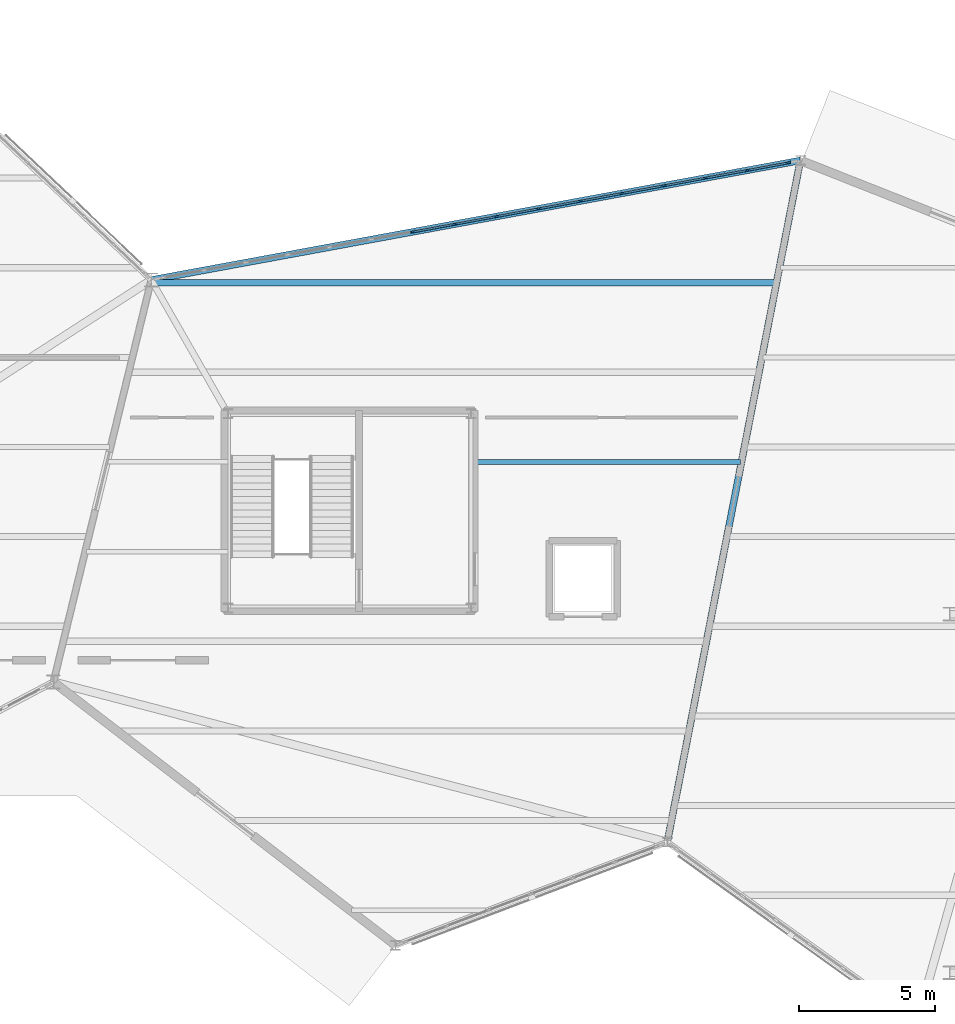
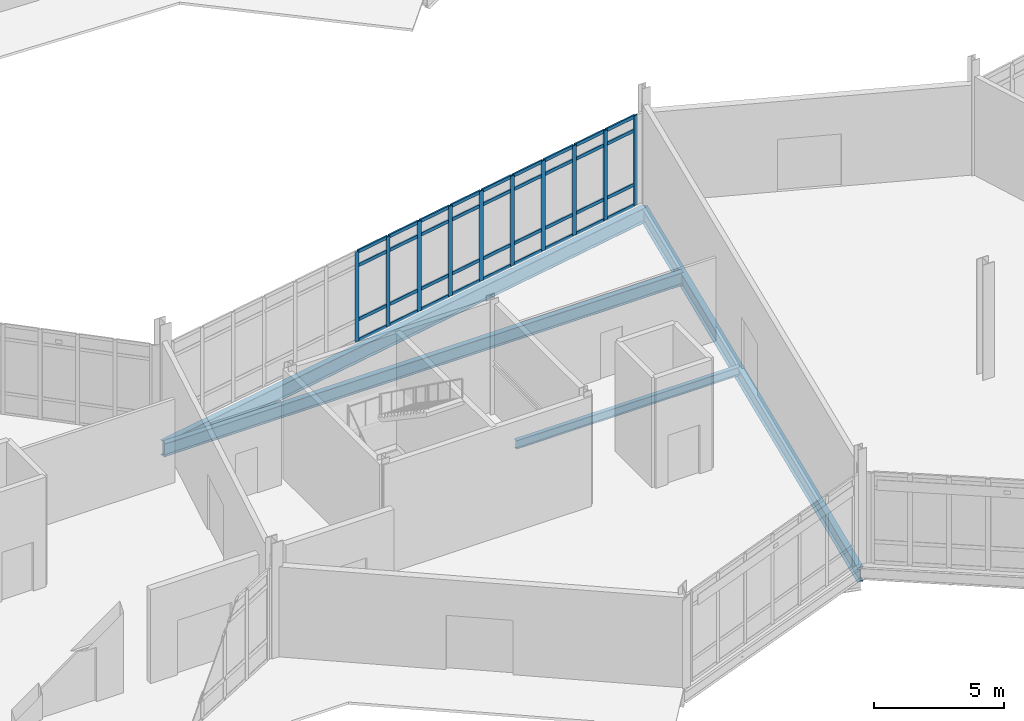
# One storey, part 41 of 113: 46 members, 4 beams, 1 element without a shape of its own.
"""IFC4 building model written with IfcOpenShell, lengths in metres."""

import ifcopenshell
import ifcopenshell.guid

model = None  # the IFC model being written
_history = None  # IfcOwnerHistory: only IFC2X3 demands one
_inside = {}  # id of a spatial element -> (the spatial element, [elements in it])
_under = {}  # id of a project, library or spatial element -> (it, [spatial elements below it])
_declared = {}  # id of a project -> (the project, [libraries it declares])
_typed = {}  # id of a type object -> (the type object, [elements of that type])
_made_of = {}  # id of a material, layer set ... -> (it, [elements and type objects made of it])


def new_model(schema):
    """Start an empty IFC model of exactly this schema.

    Asked for "IFC4X3", IfcOpenShell would pick the latest addendum, in which some entities
    have other attributes; the version numbers below select the first issue.
    IFC2X3 requires an IfcOwnerHistory on every rooted entity: one is made here for all.
    """
    global model, _history
    if schema == "IFC4X3":
        model = ifcopenshell.file(schema_version=(4, 3, 0, 0))
    else:
        model = ifcopenshell.file(schema=schema)
    _inside.clear()
    _under.clear()
    _declared.clear()
    _typed.clear()
    _made_of.clear()
    _history = None
    if model.schema == "IFC2X3":
        org = make("IfcOrganization", Name="unknown")
        user = make(
            "IfcPersonAndOrganization",
            ThePerson=make("IfcPerson", FamilyName="unknown"),
            TheOrganization=org,
        )
        app = make(
            "IfcApplication",
            ApplicationDeveloper=org,
            Version="unknown",
            ApplicationFullName="unknown",
            ApplicationIdentifier="unknown",
        )
        _history = make(
            "IfcOwnerHistory",
            OwningUser=user,
            OwningApplication=app,
            ChangeAction="ADDED",
            CreationDate=0,
        )
    return model


def make(cls, **values):
    """One entity of the class cls with the attributes given. An attribute that is None is left unset."""
    return model.create_entity(
        cls, **{name: value for name, value in values.items() if value is not None}
    )


def rooted(cls, **values):
    """An entity with a GlobalId (a new one), such as an element, a storey or a relation."""
    return make(cls, GlobalId=ifcopenshell.guid.new(), OwnerHistory=_history, **values)


def si_unit(unit_type, name, prefix=None):
    """IfcSIUnit, for example si_unit("LENGTHUNIT", "METRE", prefix="MILLI")."""
    return make("IfcSIUnit", UnitType=unit_type, Prefix=prefix, Name=name)


def assignment(units):
    """IfcUnitAssignment: the units of a project."""
    return None if units is None else make("IfcUnitAssignment", Units=units)


def point(xyz):
    """IfcCartesianPoint."""
    return None if xyz is None else make("IfcCartesianPoint", Coordinates=xyz)


def direction(xyz):
    """IfcDirection."""
    return None if xyz is None else make("IfcDirection", DirectionRatios=xyz)


def frame(location, z_axis=None, x_axis=None):
    """IfcAxis2Placement3D, a coordinate frame: its origin and axes. An axis left out is left unset."""
    return make(
        "IfcAxis2Placement3D",
        Location=point(location),
        Axis=direction(z_axis),
        RefDirection=direction(x_axis),
    )


def frame_2d(location, x_axis=None):
    """IfcAxis2Placement2D, a coordinate frame in the plane: its origin and x axis."""
    return make(
        "IfcAxis2Placement2D", Location=point(location), RefDirection=direction(x_axis)
    )


def origin():
    """The frame at (0, 0, 0) with its axes left unset."""
    return frame((0.0, 0.0, 0.0))


def origin_2d():
    """The frame at (0, 0) in the plane with its x axis left unset."""
    return frame_2d((0.0, 0.0))


def place(relative_to, where):
    """IfcLocalPlacement: puts the frame where relative to a parent placement (None: the world)."""
    return make(
        "IfcLocalPlacement", PlacementRelTo=relative_to, RelativePlacement=where
    )


def context(
    kind, dimensions, precision=None, world=None, true_north=None, identifier=None
):
    """IfcGeometricRepresentationContext, for example the 3D "Model" context."""
    return make(
        "IfcGeometricRepresentationContext",
        ContextIdentifier=identifier,
        ContextType=kind,
        CoordinateSpaceDimension=dimensions,
        Precision=precision,
        WorldCoordinateSystem=world,
        TrueNorth=true_north,
    )


def subcontext(parent, identifier, kind, view, scale=None):
    """IfcGeometricRepresentationSubContext, for example "Body" below "Model"."""
    return make(
        "IfcGeometricRepresentationSubContext",
        ContextIdentifier=identifier,
        ContextType=kind,
        ParentContext=parent,
        TargetScale=scale,
        TargetView=view,
    )


def project(units=None, contexts=None):
    """IfcProject with its units and contexts."""
    return rooted(
        "IfcProject",
        Name="project",
        RepresentationContexts=contexts,
        UnitsInContext=assignment(units),
    )


def spatial(cls, under=None, at=None, **own):
    """A site, building, storey or space (cls), placed at a placement, below another one or the project."""
    s = rooted(cls, ObjectPlacement=at, **own)
    if under is not None:
        _under.setdefault(under.id(), (under, []))[1].append(s)
    return s


def profile(cls, at=None, kind="AREA", **sizes):
    """A parametric profile (cls). Its sizes go by their IFC names, for example OverallWidth=200.0."""
    return make(cls, ProfileType=kind, Position=at, **sizes)


def rectangle(**sizes):
    """IfcRectangleProfileDef."""
    return profile("IfcRectangleProfileDef", **sizes)


def i_section(**sizes):
    """IfcIShapeProfileDef."""
    return profile("IfcIShapeProfileDef", **sizes)


def extrude(swept, where, along, depth):
    """IfcExtrudedAreaSolid: the profile swept, set in the frame where, extruded along a direction by depth."""
    return make(
        "IfcExtrudedAreaSolid",
        SweptArea=swept,
        Position=where,
        ExtrudedDirection=direction(along),
        Depth=depth,
    )


def shape(context_of_items, identifier, shape_type, items):
    """IfcShapeRepresentation: the items that make up one representation, for example the "Body"."""
    return make(
        "IfcShapeRepresentation",
        ContextOfItems=context_of_items,
        RepresentationIdentifier=identifier,
        RepresentationType=shape_type,
        Items=items,
    )


def material(Name=None, Category=None):
    """IfcMaterial."""
    return make("IfcMaterial", Name=Name, Category=Category)


def material_profile(
    of_material, cross_section, Name=None, Category=None, Priority=None
):
    """IfcMaterialProfile: a cross section and its material."""
    return make(
        "IfcMaterialProfile",
        Name=Name,
        Material=of_material,
        Profile=cross_section,
        Priority=Priority,
        Category=Category,
    )


def profile_set(profiles, Name=None, composite=None):
    """IfcMaterialProfileSet."""
    return make(
        "IfcMaterialProfileSet",
        Name=Name,
        MaterialProfiles=profiles,
        CompositeProfile=composite,
    )


def made_of(thing, what):
    """Note that an element or type object is made of a material, layer set ...; save() writes the relation."""
    if what is not None:
        _made_of.setdefault(what.id(), (what, []))[1].append(thing)
    return thing


def type_object(cls, material=None, **own):
    """A type object (cls), such as IfcWallType, which elements share."""
    return made_of(rooted(cls, **own), material)


def element(
    cls,
    number,
    at=None,
    inside=None,
    cuts=None,
    type_object=None,
    material=None,
    context=None,
    identifier="Body",
    shape_type=None,
    held_by="IfcProductDefinitionShape",
    body=None,
    shapes=None,
    **own,
):
    """One element of the class cls, such as IfcWall. Its Tag is "e" and its number.

    at: its placement. inside: the storey or other place that contains it. cuts: it is an
    opening in that element (IfcRelVoidsElement). A single representation is given by context,
    identifier, shape_type and body (its items); several are given by shapes. held_by: the class
    of the entity that holds the representations. save() writes the other relations.
    """
    e = rooted(cls, Tag="e%d" % number, ObjectPlacement=at, **own)
    if body is not None:
        shapes = [shape(context, identifier, shape_type, body)]
    if shapes is not None:
        e.Representation = make(held_by, Representations=shapes)
    if inside is not None:
        _inside.setdefault(inside.id(), (inside, []))[1].append(e)
    if cuts is not None:
        rooted(
            "IfcRelVoidsElement", RelatingBuildingElement=cuts, RelatedOpeningElement=e
        )
    if type_object is not None:
        _typed.setdefault(type_object.id(), (type_object, []))[1].append(e)
    return made_of(e, material)


def aggregate(whole, parts):
    """IfcRelAggregates: a whole, such as a stair, and the parts it consists of."""
    return rooted("IfcRelAggregates", RelatingObject=whole, RelatedObjects=parts)


def save(model, path):
    """Write the relations noted so far, then the file.

    IfcRelAggregates (storeys below a building ...), IfcRelContainedInSpatialStructure (elements
    in a storey), IfcRelDefinesByType, IfcRelAssociatesMaterial and IfcRelDeclares: one each for
    every whole, place, type object, material and project.
    """
    for whole, parts in _under.values():
        aggregate(whole, parts)
    for where, things in _inside.values():
        rooted(
            "IfcRelContainedInSpatialStructure",
            RelatedElements=things,
            RelatingStructure=where,
        )
    for kind, things in _typed.values():
        rooted("IfcRelDefinesByType", RelatedObjects=things, RelatingType=kind)
    for what, things in _made_of.values():
        rooted("IfcRelAssociatesMaterial", RelatedObjects=things, RelatingMaterial=what)
    for by, libraries in _declared.values():
        rooted("IfcRelDeclares", RelatingContext=by, RelatedDefinitions=libraries)
    model.write(path)


model = new_model("IFC4")

# Units and contexts
model_context = context("Model", 3, precision=1e-05, world=origin(), true_north=direction((0.0, 1.0)))
body_context = subcontext(model_context, "Body", "Model", "MODEL_VIEW")
ifc_project = project(units=[si_unit("LENGTHUNIT", "METRE"), si_unit("AREAUNIT", "SQUARE_METRE"), si_unit("VOLUMEUNIT", "CUBIC_METRE"), si_unit("PLANEANGLEUNIT", "RADIAN"), si_unit("MASSUNIT", "GRAM", prefix="KILO")], contexts=[model_context])

# Site, building, storey
site_placement = place(None, origin())
site = spatial("IfcSite", under=ifc_project, at=site_placement, CompositionType="ELEMENT")
building_placement = place(site_placement, origin())
building = spatial("IfcBuilding", under=site, at=building_placement, Name="Tameran Prism Museum", CompositionType="ELEMENT")
storey_placement = place(building_placement, origin())
storey = spatial("IfcBuildingStorey", under=building, at=storey_placement, Name="L00", CompositionType="ELEMENT", Elevation=0.0)

# Beams
ifc_material_1 = material(Name="Steel Grade 300PLUS (300 MPa)", Category="steel")
ifc_material_profile_1 = material_profile(ifc_material_1, i_section(OverallWidth=0.177978515625, OverallDepth=0.403076171875, WebThickness=0.007568359375, FlangeThickness=0.010986328125, FilletRadius=0.011474609375, at=origin_2d()))
ifc_profile_set_1 = profile_set([ifc_material_profile_1])
beam_type_1 = type_object("IfcBeamType", Name="BM-J410B", PredefinedType="JOIST", material=ifc_profile_set_1)
beam_1_placement = place(storey_placement, frame((113.47998046875, 36.300048828125, -0.44140625), z_axis=(1.0, 0.0, 0.0), x_axis=(0.0, 1.0, 0.0)))
element("IfcBeam", 1, at=beam_1_placement, inside=storey, type_object=beam_type_1, Name="Floor Beam BM-0236", PredefinedType="JOIST", context=body_context, shape_type="SweptSolid", body=[
    extrude(i_section(OverallWidth=0.177978515625, OverallDepth=0.403076171875, WebThickness=0.007568359375, FlangeThickness=0.010986328125, FilletRadius=0.011474609375, at=origin_2d()), origin(), (0.0, 0.0, 1.0), 9.912109375),
])
ifc_material_2 = material(Name="Steel Grade 350 (350 MPa)", Category="steel")
ifc_material_profile_2 = material_profile(ifc_material_2, i_section(OverallWidth=0.25, OverallDepth=0.699951171875, WebThickness=0.010009765625, FlangeThickness=0.02001953125, at=origin_2d()))
ifc_profile_set_2 = profile_set([ifc_material_profile_2])
beam_type_2 = type_object("IfcBeamType", Name="BM-SP700", PredefinedType="SPANDREL", material=ifc_profile_set_2)
beam_2_placement = place(storey_placement, frame((120.699951171875, 22.300048828125, -0.590087890625), z_axis=(0.191608827438, 0.981471373626, 0.0), x_axis=(-0.981471373626, 0.191608827438, 0.0)))
element("IfcBeam", 2, at=beam_2_placement, inside=storey, type_object=beam_type_2, Name="Perimeter Spandrel SP-0039", PredefinedType="SPANDREL", context=body_context, shape_type="SweptSolid", body=[
    extrude(i_section(OverallWidth=0.25, OverallDepth=0.699951171875, WebThickness=0.010009765625, FlangeThickness=0.02001953125, at=origin_2d()), origin(), (0.0, 0.0, 1.0), 25.57373046875),
])
beam_3_placement = place(storey_placement, frame((125.60009765625, 47.39990234375, -0.590087890625), z_axis=(-0.983473389275, -0.181052734272, 0.0), x_axis=(0.181052734272, -0.983473389275, 0.0)))
element("IfcBeam", 3, at=beam_3_placement, inside=storey, type_object=beam_type_2, Name="Perimeter Spandrel SP-0040", PredefinedType="SPANDREL", context=body_context, shape_type="SweptSolid", body=[
    extrude(i_section(OverallWidth=0.25, OverallDepth=0.699951171875, WebThickness=0.010009765625, FlangeThickness=0.02001953125, at=origin_2d()), origin(), (0.0, 0.0, 1.0), 24.3017578125),
])
ifc_material_3 = material(Name="Steel Grade 300PLUS (300 MPa)", Category="steel")
ifc_material_profile_3 = material_profile(ifc_material_3, i_section(OverallWidth=0.22802734375, OverallDepth=0.60693359375, WebThickness=0.01123046875, FlangeThickness=0.017333984375, FilletRadius=0.013916015625, at=origin_2d()))
ifc_profile_set_3 = profile_set([ifc_material_profile_3])
beam_type_3 = type_object("IfcBeamType", Name="BM-UB610B", PredefinedType="BEAM", material=ifc_profile_set_3)
beam_4_placement = place(storey_placement, frame((101.717041015625, 42.89990234375, -0.54345703125), z_axis=(1.0, 0.0, 0.0), x_axis=(0.0, 1.0, 0.0)))
element("IfcBeam", 4, at=beam_4_placement, inside=storey, type_object=beam_type_3, Name="Floor Beam BM-0238", PredefinedType="BEAM", context=body_context, shape_type="SweptSolid", body=[
    extrude(i_section(OverallWidth=0.22802734375, OverallDepth=0.60693359375, WebThickness=0.01123046875, FlangeThickness=0.017333984375, FilletRadius=0.013916015625, at=origin_2d()), origin(), (0.0, 0.0, 1.0), 22.9638671875),
])

# Curtain wall, members
ifc_material_4 = material(Name="Anodised Aluminium 6063-T6 and Cyclone Solar Glass", Category="aluminium")
curtain_wall_type = type_object("IfcCurtainWallType", Name="CW-FAC-2348x422", PredefinedType="USERDEFINED", material=ifc_material_4)
curtain_wall_placement = place(storey_placement, origin())
curtain_wall = element("IfcCurtainWall", 5, at=curtain_wall_placement, inside=storey, type_object=curtain_wall_type, Name="Unitised Curtain Wall CW-036", ObjectType="UNITISED CURTAIN WALL", PredefinedType="USERDEFINED")
ifc_material_5 = material(Name="Anodised Aluminium Alloy 6063-T6", Category="aluminium")
ifc_material_profile_4 = material_profile(ifc_material_5, rectangle(XDim=0.070068359375, YDim=0.179931640625, at=origin_2d()))
ifc_profile_set_4 = profile_set([ifc_material_profile_4])
member_type_1 = type_object("IfcMemberType", Name="CW-MUL-B", PredefinedType="MULLION", material=ifc_profile_set_4)
member_1_placement = place(storey_placement, frame((111.339111328125, 44.7744140625, 0.0), z_axis=(0.0, 0.0, 1.0), x_axis=(-0.181062693106, 0.98347155585, 0.0)))
member_1 = element("IfcMember", 6, at=member_1_placement, type_object=member_type_1, Name="CW-036 mullion 7", PredefinedType="MULLION", context=body_context, shape_type="SweptSolid", body=[
    extrude(rectangle(XDim=0.070068359375, YDim=0.179931640625, at=origin_2d()), origin(), (0.0, 0.0, 1.0), 4.219970703125),
])
member_2_placement = place(storey_placement, frame((112.87841796875, 45.057861328125, 0.0), z_axis=(0.0, 0.0, 1.0), x_axis=(-0.181062693106, 0.98347155585, 0.0)))
member_2 = element("IfcMember", 7, at=member_2_placement, type_object=member_type_1, Name="CW-036 mullion 8", PredefinedType="MULLION", context=body_context, shape_type="SweptSolid", body=[
    extrude(rectangle(XDim=0.070068359375, YDim=0.179931640625, at=origin_2d()), origin(), (0.0, 0.0, 1.0), 4.219970703125),
])
member_3_placement = place(storey_placement, frame((114.417724609375, 45.34130859375, 0.0), z_axis=(0.0, 0.0, 1.0), x_axis=(-0.181062693106, 0.98347155585, 0.0)))
member_3 = element("IfcMember", 8, at=member_3_placement, type_object=member_type_1, Name="CW-036 mullion 9", PredefinedType="MULLION", context=body_context, shape_type="SweptSolid", body=[
    extrude(rectangle(XDim=0.070068359375, YDim=0.179931640625, at=origin_2d()), origin(), (0.0, 0.0, 1.0), 4.219970703125),
])
member_4_placement = place(storey_placement, frame((115.95703125, 45.62451171875, 0.0), z_axis=(0.0, 0.0, 1.0), x_axis=(-0.181062693106, 0.98347155585, 0.0)))
member_4 = element("IfcMember", 9, at=member_4_placement, type_object=member_type_1, Name="CW-036 mullion 10", PredefinedType="MULLION", context=body_context, shape_type="SweptSolid", body=[
    extrude(rectangle(XDim=0.070068359375, YDim=0.179931640625, at=origin_2d()), origin(), (0.0, 0.0, 1.0), 4.219970703125),
])
member_5_placement = place(storey_placement, frame((117.496337890625, 45.907958984375, 0.0), z_axis=(0.0, 0.0, 1.0), x_axis=(-0.181062693106, 0.98347155585, 0.0)))
member_5 = element("IfcMember", 10, at=member_5_placement, type_object=member_type_1, Name="CW-036 mullion 11", PredefinedType="MULLION", context=body_context, shape_type="SweptSolid", body=[
    extrude(rectangle(XDim=0.070068359375, YDim=0.179931640625, at=origin_2d()), origin(), (0.0, 0.0, 1.0), 4.219970703125),
])
member_6_placement = place(storey_placement, frame((119.03564453125, 46.19140625, 0.0), z_axis=(0.0, 0.0, 1.0), x_axis=(-0.181062693106, 0.98347155585, 0.0)))
member_6 = element("IfcMember", 11, at=member_6_placement, type_object=member_type_1, Name="CW-036 mullion 12", PredefinedType="MULLION", context=body_context, shape_type="SweptSolid", body=[
    extrude(rectangle(XDim=0.070068359375, YDim=0.179931640625, at=origin_2d()), origin(), (0.0, 0.0, 1.0), 4.219970703125),
])
member_7_placement = place(storey_placement, frame((120.574951171875, 46.474853515625, 0.0), z_axis=(0.0, 0.0, 1.0), x_axis=(-0.181062693106, 0.98347155585, 0.0)))
member_7 = element("IfcMember", 12, at=member_7_placement, type_object=member_type_1, Name="CW-036 mullion 13", PredefinedType="MULLION", context=body_context, shape_type="SweptSolid", body=[
    extrude(rectangle(XDim=0.070068359375, YDim=0.179931640625, at=origin_2d()), origin(), (0.0, 0.0, 1.0), 4.219970703125),
])
member_8_placement = place(storey_placement, frame((122.1142578125, 46.75830078125, 0.0), z_axis=(0.0, 0.0, 1.0), x_axis=(-0.181062693106, 0.98347155585, 0.0)))
member_8 = element("IfcMember", 13, at=member_8_placement, type_object=member_type_1, Name="CW-036 mullion 14", PredefinedType="MULLION", context=body_context, shape_type="SweptSolid", body=[
    extrude(rectangle(XDim=0.070068359375, YDim=0.179931640625, at=origin_2d()), origin(), (0.0, 0.0, 1.0), 4.219970703125),
])
member_9_placement = place(storey_placement, frame((123.653564453125, 47.04150390625, 0.0), z_axis=(0.0, 0.0, 1.0), x_axis=(-0.181062693106, 0.98347155585, 0.0)))
member_9 = element("IfcMember", 14, at=member_9_placement, type_object=member_type_1, Name="CW-036 mullion 15", PredefinedType="MULLION", context=body_context, shape_type="SweptSolid", body=[
    extrude(rectangle(XDim=0.070068359375, YDim=0.179931640625, at=origin_2d()), origin(), (0.0, 0.0, 1.0), 4.219970703125),
])
member_10_placement = place(storey_placement, frame((125.15869140625, 47.318603515625, 0.0), z_axis=(0.0, 0.0, 1.0), x_axis=(-0.181062693106, 0.98347155585, 0.0)))
member_10 = element("IfcMember", 15, at=member_10_placement, type_object=member_type_1, Name="CW-036 mullion 16", PredefinedType="MULLION", context=body_context, shape_type="SweptSolid", body=[
    extrude(rectangle(XDim=0.070068359375, YDim=0.179931640625, at=origin_2d()), origin(), (0.0, 0.0, 1.0), 4.219970703125),
])
ifc_material_6 = material(Name="Anodised Aluminium Alloy 6063-T6", Category="aluminium")
ifc_material_profile_5 = material_profile(ifc_material_6, rectangle(XDim=0.070068359375, YDim=0.155029296875, at=origin_2d()))
ifc_profile_set_5 = profile_set([ifc_material_profile_5])
member_type_2 = type_object("IfcMemberType", Name="CW-TRN-B", PredefinedType="USERDEFINED", material=ifc_profile_set_5)
member_11_placement = place(storey_placement, frame((111.37353515625, 44.78076171875, 0.034912109375), z_axis=(0.983467731268, 0.181083465711, 0.0), x_axis=(-0.181083465711, 0.983467731268, 0.0)))
member_11 = element("IfcMember", 16, at=member_11_placement, type_object=member_type_2, Name="CW-036 transom 7.1", ObjectType="TRANSOM", PredefinedType="USERDEFINED", context=body_context, shape_type="SweptSolid", body=[
    extrude(rectangle(XDim=0.070068359375, YDim=0.155029296875, at=origin_2d()), origin(), (0.0, 0.0, 1.0), 1.4951171875),
])
member_12_placement = place(storey_placement, frame((111.37353515625, 44.78076171875, 1.0), z_axis=(0.983467731268, 0.181083465711, 0.0), x_axis=(-0.181083465711, 0.983467731268, 0.0)))
member_12 = element("IfcMember", 17, at=member_12_placement, type_object=member_type_2, Name="CW-036 transom 7.2", ObjectType="TRANSOM", PredefinedType="USERDEFINED", context=body_context, shape_type="SweptSolid", body=[
    extrude(rectangle(XDim=0.070068359375, YDim=0.155029296875, at=origin_2d()), origin(), (0.0, 0.0, 1.0), 1.4951171875),
])
member_13_placement = place(storey_placement, frame((111.37353515625, 44.78076171875, 3.5400390625), z_axis=(0.983467731268, 0.181083465711, 0.0), x_axis=(-0.181083465711, 0.983467731268, 0.0)))
member_13 = element("IfcMember", 18, at=member_13_placement, type_object=member_type_2, Name="CW-036 transom 7.3", ObjectType="TRANSOM", PredefinedType="USERDEFINED", context=body_context, shape_type="SweptSolid", body=[
    extrude(rectangle(XDim=0.070068359375, YDim=0.155029296875, at=origin_2d()), origin(), (0.0, 0.0, 1.0), 1.4951171875),
])
member_14_placement = place(storey_placement, frame((111.37353515625, 44.78076171875, 4.18505859375), z_axis=(0.983467731268, 0.181083465711, 0.0), x_axis=(-0.181083465711, 0.983467731268, 0.0)))
member_14 = element("IfcMember", 19, at=member_14_placement, type_object=member_type_2, Name="CW-036 transom 7.4", ObjectType="TRANSOM", PredefinedType="USERDEFINED", context=body_context, shape_type="SweptSolid", body=[
    extrude(rectangle(XDim=0.070068359375, YDim=0.155029296875, at=origin_2d()), origin(), (0.0, 0.0, 1.0), 1.4951171875),
])
member_15_placement = place(storey_placement, frame((112.912841796875, 45.064208984375, 0.034912109375), z_axis=(0.983467731268, 0.181083465711, 0.0), x_axis=(-0.181083465711, 0.983467731268, 0.0)))
member_15 = element("IfcMember", 20, at=member_15_placement, type_object=member_type_2, Name="CW-036 transom 8.1", ObjectType="TRANSOM", PredefinedType="USERDEFINED", context=body_context, shape_type="SweptSolid", body=[
    extrude(rectangle(XDim=0.070068359375, YDim=0.155029296875, at=origin_2d()), origin(), (0.0, 0.0, 1.0), 1.4951171875),
])
member_16_placement = place(storey_placement, frame((112.912841796875, 45.064208984375, 1.0), z_axis=(0.983467731268, 0.181083465711, 0.0), x_axis=(-0.181083465711, 0.983467731268, 0.0)))
member_16 = element("IfcMember", 21, at=member_16_placement, type_object=member_type_2, Name="CW-036 transom 8.2", ObjectType="TRANSOM", PredefinedType="USERDEFINED", context=body_context, shape_type="SweptSolid", body=[
    extrude(rectangle(XDim=0.070068359375, YDim=0.155029296875, at=origin_2d()), origin(), (0.0, 0.0, 1.0), 1.4951171875),
])
member_17_placement = place(storey_placement, frame((112.912841796875, 45.064208984375, 3.5400390625), z_axis=(0.983467731268, 0.181083465711, 0.0), x_axis=(-0.181083465711, 0.983467731268, 0.0)))
member_17 = element("IfcMember", 22, at=member_17_placement, type_object=member_type_2, Name="CW-036 transom 8.3", ObjectType="TRANSOM", PredefinedType="USERDEFINED", context=body_context, shape_type="SweptSolid", body=[
    extrude(rectangle(XDim=0.070068359375, YDim=0.155029296875, at=origin_2d()), origin(), (0.0, 0.0, 1.0), 1.4951171875),
])
member_18_placement = place(storey_placement, frame((112.912841796875, 45.064208984375, 4.18505859375), z_axis=(0.983467731268, 0.181083465711, 0.0), x_axis=(-0.181083465711, 0.983467731268, 0.0)))
member_18 = element("IfcMember", 23, at=member_18_placement, type_object=member_type_2, Name="CW-036 transom 8.4", ObjectType="TRANSOM", PredefinedType="USERDEFINED", context=body_context, shape_type="SweptSolid", body=[
    extrude(rectangle(XDim=0.070068359375, YDim=0.155029296875, at=origin_2d()), origin(), (0.0, 0.0, 1.0), 1.4951171875),
])
member_19_placement = place(storey_placement, frame((114.4521484375, 45.34765625, 0.034912109375), z_axis=(0.983496798895, 0.180925527673, 0.0), x_axis=(-0.180925527673, 0.983496798895, 0.0)))
member_19 = element("IfcMember", 24, at=member_19_placement, type_object=member_type_2, Name="CW-036 transom 9.1", ObjectType="TRANSOM", PredefinedType="USERDEFINED", context=body_context, shape_type="SweptSolid", body=[
    extrude(rectangle(XDim=0.070068359375, YDim=0.155029296875, at=origin_2d()), origin(), (0.0, 0.0, 1.0), 1.4951171875),
])
member_20_placement = place(storey_placement, frame((114.4521484375, 45.34765625, 1.0), z_axis=(0.983496798895, 0.180925527673, 0.0), x_axis=(-0.180925527673, 0.983496798895, 0.0)))
member_20 = element("IfcMember", 25, at=member_20_placement, type_object=member_type_2, Name="CW-036 transom 9.2", ObjectType="TRANSOM", PredefinedType="USERDEFINED", context=body_context, shape_type="SweptSolid", body=[
    extrude(rectangle(XDim=0.070068359375, YDim=0.155029296875, at=origin_2d()), origin(), (0.0, 0.0, 1.0), 1.4951171875),
])
member_21_placement = place(storey_placement, frame((114.4521484375, 45.34765625, 3.5400390625), z_axis=(0.983496798895, 0.180925527673, 0.0), x_axis=(-0.180925527673, 0.983496798895, 0.0)))
member_21 = element("IfcMember", 26, at=member_21_placement, type_object=member_type_2, Name="CW-036 transom 9.3", ObjectType="TRANSOM", PredefinedType="USERDEFINED", context=body_context, shape_type="SweptSolid", body=[
    extrude(rectangle(XDim=0.070068359375, YDim=0.155029296875, at=origin_2d()), origin(), (0.0, 0.0, 1.0), 1.4951171875),
])
member_22_placement = place(storey_placement, frame((114.4521484375, 45.34765625, 4.18505859375), z_axis=(0.983496798895, 0.180925527673, 0.0), x_axis=(-0.180925527673, 0.983496798895, 0.0)))
member_22 = element("IfcMember", 27, at=member_22_placement, type_object=member_type_2, Name="CW-036 transom 9.4", ObjectType="TRANSOM", PredefinedType="USERDEFINED", context=body_context, shape_type="SweptSolid", body=[
    extrude(rectangle(XDim=0.070068359375, YDim=0.155029296875, at=origin_2d()), origin(), (0.0, 0.0, 1.0), 1.4951171875),
])
member_23_placement = place(storey_placement, frame((115.991455078125, 45.630859375, 0.034912109375), z_axis=(0.983467731268, 0.181083465711, 0.0), x_axis=(-0.181083465711, 0.983467731268, 0.0)))
member_23 = element("IfcMember", 28, at=member_23_placement, type_object=member_type_2, Name="CW-036 transom 10.1", ObjectType="TRANSOM", PredefinedType="USERDEFINED", context=body_context, shape_type="SweptSolid", body=[
    extrude(rectangle(XDim=0.070068359375, YDim=0.155029296875, at=origin_2d()), origin(), (0.0, 0.0, 1.0), 1.4951171875),
])
member_24_placement = place(storey_placement, frame((115.991455078125, 45.630859375, 1.0), z_axis=(0.983467731268, 0.181083465711, 0.0), x_axis=(-0.181083465711, 0.983467731268, 0.0)))
member_24 = element("IfcMember", 29, at=member_24_placement, type_object=member_type_2, Name="CW-036 transom 10.2", ObjectType="TRANSOM", PredefinedType="USERDEFINED", context=body_context, shape_type="SweptSolid", body=[
    extrude(rectangle(XDim=0.070068359375, YDim=0.155029296875, at=origin_2d()), origin(), (0.0, 0.0, 1.0), 1.4951171875),
])
member_25_placement = place(storey_placement, frame((115.991455078125, 45.630859375, 3.5400390625), z_axis=(0.983467731268, 0.181083465711, 0.0), x_axis=(-0.181083465711, 0.983467731268, 0.0)))
member_25 = element("IfcMember", 30, at=member_25_placement, type_object=member_type_2, Name="CW-036 transom 10.3", ObjectType="TRANSOM", PredefinedType="USERDEFINED", context=body_context, shape_type="SweptSolid", body=[
    extrude(rectangle(XDim=0.070068359375, YDim=0.155029296875, at=origin_2d()), origin(), (0.0, 0.0, 1.0), 1.4951171875),
])
member_26_placement = place(storey_placement, frame((115.991455078125, 45.630859375, 4.18505859375), z_axis=(0.983467731268, 0.181083465711, 0.0), x_axis=(-0.181083465711, 0.983467731268, 0.0)))
member_26 = element("IfcMember", 31, at=member_26_placement, type_object=member_type_2, Name="CW-036 transom 10.4", ObjectType="TRANSOM", PredefinedType="USERDEFINED", context=body_context, shape_type="SweptSolid", body=[
    extrude(rectangle(XDim=0.070068359375, YDim=0.155029296875, at=origin_2d()), origin(), (0.0, 0.0, 1.0), 1.4951171875),
])
member_27_placement = place(storey_placement, frame((117.53076171875, 45.914306640625, 0.034912109375), z_axis=(0.983467731268, 0.181083465711, 0.0), x_axis=(-0.181083465711, 0.983467731268, 0.0)))
member_27 = element("IfcMember", 32, at=member_27_placement, type_object=member_type_2, Name="CW-036 transom 11.1", ObjectType="TRANSOM", PredefinedType="USERDEFINED", context=body_context, shape_type="SweptSolid", body=[
    extrude(rectangle(XDim=0.070068359375, YDim=0.155029296875, at=origin_2d()), origin(), (0.0, 0.0, 1.0), 1.4951171875),
])
member_28_placement = place(storey_placement, frame((117.53076171875, 45.914306640625, 1.0), z_axis=(0.983467731268, 0.181083465711, 0.0), x_axis=(-0.181083465711, 0.983467731268, 0.0)))
member_28 = element("IfcMember", 33, at=member_28_placement, type_object=member_type_2, Name="CW-036 transom 11.2", ObjectType="TRANSOM", PredefinedType="USERDEFINED", context=body_context, shape_type="SweptSolid", body=[
    extrude(rectangle(XDim=0.070068359375, YDim=0.155029296875, at=origin_2d()), origin(), (0.0, 0.0, 1.0), 1.4951171875),
])
member_29_placement = place(storey_placement, frame((117.53076171875, 45.914306640625, 3.5400390625), z_axis=(0.983467731268, 0.181083465711, 0.0), x_axis=(-0.181083465711, 0.983467731268, 0.0)))
member_29 = element("IfcMember", 34, at=member_29_placement, type_object=member_type_2, Name="CW-036 transom 11.3", ObjectType="TRANSOM", PredefinedType="USERDEFINED", context=body_context, shape_type="SweptSolid", body=[
    extrude(rectangle(XDim=0.070068359375, YDim=0.155029296875, at=origin_2d()), origin(), (0.0, 0.0, 1.0), 1.4951171875),
])
member_30_placement = place(storey_placement, frame((117.53076171875, 45.914306640625, 4.18505859375), z_axis=(0.983467731268, 0.181083465711, 0.0), x_axis=(-0.181083465711, 0.983467731268, 0.0)))
member_30 = element("IfcMember", 35, at=member_30_placement, type_object=member_type_2, Name="CW-036 transom 11.4", ObjectType="TRANSOM", PredefinedType="USERDEFINED", context=body_context, shape_type="SweptSolid", body=[
    extrude(rectangle(XDim=0.070068359375, YDim=0.155029296875, at=origin_2d()), origin(), (0.0, 0.0, 1.0), 1.4951171875),
])
member_31_placement = place(storey_placement, frame((119.070068359375, 46.19775390625, 0.034912109375), z_axis=(0.983467731268, 0.181083465711, 0.0), x_axis=(-0.181083465711, 0.983467731268, 0.0)))
member_31 = element("IfcMember", 36, at=member_31_placement, type_object=member_type_2, Name="CW-036 transom 12.1", ObjectType="TRANSOM", PredefinedType="USERDEFINED", context=body_context, shape_type="SweptSolid", body=[
    extrude(rectangle(XDim=0.070068359375, YDim=0.155029296875, at=origin_2d()), origin(), (0.0, 0.0, 1.0), 1.4951171875),
])
member_32_placement = place(storey_placement, frame((119.070068359375, 46.19775390625, 1.0), z_axis=(0.983467731268, 0.181083465711, 0.0), x_axis=(-0.181083465711, 0.983467731268, 0.0)))
member_32 = element("IfcMember", 37, at=member_32_placement, type_object=member_type_2, Name="CW-036 transom 12.2", ObjectType="TRANSOM", PredefinedType="USERDEFINED", context=body_context, shape_type="SweptSolid", body=[
    extrude(rectangle(XDim=0.070068359375, YDim=0.155029296875, at=origin_2d()), origin(), (0.0, 0.0, 1.0), 1.4951171875),
])
member_33_placement = place(storey_placement, frame((119.070068359375, 46.19775390625, 3.5400390625), z_axis=(0.983467731268, 0.181083465711, 0.0), x_axis=(-0.181083465711, 0.983467731268, 0.0)))
member_33 = element("IfcMember", 38, at=member_33_placement, type_object=member_type_2, Name="CW-036 transom 12.3", ObjectType="TRANSOM", PredefinedType="USERDEFINED", context=body_context, shape_type="SweptSolid", body=[
    extrude(rectangle(XDim=0.070068359375, YDim=0.155029296875, at=origin_2d()), origin(), (0.0, 0.0, 1.0), 1.4951171875),
])
member_34_placement = place(storey_placement, frame((119.070068359375, 46.19775390625, 4.18505859375), z_axis=(0.983467731268, 0.181083465711, 0.0), x_axis=(-0.181083465711, 0.983467731268, 0.0)))
member_34 = element("IfcMember", 39, at=member_34_placement, type_object=member_type_2, Name="CW-036 transom 12.4", ObjectType="TRANSOM", PredefinedType="USERDEFINED", context=body_context, shape_type="SweptSolid", body=[
    extrude(rectangle(XDim=0.070068359375, YDim=0.155029296875, at=origin_2d()), origin(), (0.0, 0.0, 1.0), 1.4951171875),
])
member_35_placement = place(storey_placement, frame((120.609375, 46.481201171875, 0.034912109375), z_axis=(0.983467731268, 0.181083465711, 0.0), x_axis=(-0.181083465711, 0.983467731268, 0.0)))
member_35 = element("IfcMember", 40, at=member_35_placement, type_object=member_type_2, Name="CW-036 transom 13.1", ObjectType="TRANSOM", PredefinedType="USERDEFINED", context=body_context, shape_type="SweptSolid", body=[
    extrude(rectangle(XDim=0.070068359375, YDim=0.155029296875, at=origin_2d()), origin(), (0.0, 0.0, 1.0), 1.4951171875),
])
member_36_placement = place(storey_placement, frame((120.609375, 46.481201171875, 1.0), z_axis=(0.983467731268, 0.181083465711, 0.0), x_axis=(-0.181083465711, 0.983467731268, 0.0)))
member_36 = element("IfcMember", 41, at=member_36_placement, type_object=member_type_2, Name="CW-036 transom 13.2", ObjectType="TRANSOM", PredefinedType="USERDEFINED", context=body_context, shape_type="SweptSolid", body=[
    extrude(rectangle(XDim=0.070068359375, YDim=0.155029296875, at=origin_2d()), origin(), (0.0, 0.0, 1.0), 1.4951171875),
])
member_37_placement = place(storey_placement, frame((120.609375, 46.481201171875, 3.5400390625), z_axis=(0.983467731268, 0.181083465711, 0.0), x_axis=(-0.181083465711, 0.983467731268, 0.0)))
member_37 = element("IfcMember", 42, at=member_37_placement, type_object=member_type_2, Name="CW-036 transom 13.3", ObjectType="TRANSOM", PredefinedType="USERDEFINED", context=body_context, shape_type="SweptSolid", body=[
    extrude(rectangle(XDim=0.070068359375, YDim=0.155029296875, at=origin_2d()), origin(), (0.0, 0.0, 1.0), 1.4951171875),
])
member_38_placement = place(storey_placement, frame((120.609375, 46.481201171875, 4.18505859375), z_axis=(0.983467731268, 0.181083465711, 0.0), x_axis=(-0.181083465711, 0.983467731268, 0.0)))
member_38 = element("IfcMember", 43, at=member_38_placement, type_object=member_type_2, Name="CW-036 transom 13.4", ObjectType="TRANSOM", PredefinedType="USERDEFINED", context=body_context, shape_type="SweptSolid", body=[
    extrude(rectangle(XDim=0.070068359375, YDim=0.155029296875, at=origin_2d()), origin(), (0.0, 0.0, 1.0), 1.4951171875),
])
member_39_placement = place(storey_placement, frame((122.148681640625, 46.7646484375, 0.034912109375), z_axis=(0.983496798895, 0.180925527673, 0.0), x_axis=(-0.180925527673, 0.983496798895, 0.0)))
member_39 = element("IfcMember", 44, at=member_39_placement, type_object=member_type_2, Name="CW-036 transom 14.1", ObjectType="TRANSOM", PredefinedType="USERDEFINED", context=body_context, shape_type="SweptSolid", body=[
    extrude(rectangle(XDim=0.070068359375, YDim=0.155029296875, at=origin_2d()), origin(), (0.0, 0.0, 1.0), 1.4951171875),
])
member_40_placement = place(storey_placement, frame((122.148681640625, 46.7646484375, 1.0), z_axis=(0.983496798895, 0.180925527673, 0.0), x_axis=(-0.180925527673, 0.983496798895, 0.0)))
member_40 = element("IfcMember", 45, at=member_40_placement, type_object=member_type_2, Name="CW-036 transom 14.2", ObjectType="TRANSOM", PredefinedType="USERDEFINED", context=body_context, shape_type="SweptSolid", body=[
    extrude(rectangle(XDim=0.070068359375, YDim=0.155029296875, at=origin_2d()), origin(), (0.0, 0.0, 1.0), 1.4951171875),
])
member_41_placement = place(storey_placement, frame((122.148681640625, 46.7646484375, 3.5400390625), z_axis=(0.983496798895, 0.180925527673, 0.0), x_axis=(-0.180925527673, 0.983496798895, 0.0)))
member_41 = element("IfcMember", 46, at=member_41_placement, type_object=member_type_2, Name="CW-036 transom 14.3", ObjectType="TRANSOM", PredefinedType="USERDEFINED", context=body_context, shape_type="SweptSolid", body=[
    extrude(rectangle(XDim=0.070068359375, YDim=0.155029296875, at=origin_2d()), origin(), (0.0, 0.0, 1.0), 1.4951171875),
])
member_42_placement = place(storey_placement, frame((122.148681640625, 46.7646484375, 4.18505859375), z_axis=(0.983496798895, 0.180925527673, 0.0), x_axis=(-0.180925527673, 0.983496798895, 0.0)))
member_42 = element("IfcMember", 47, at=member_42_placement, type_object=member_type_2, Name="CW-036 transom 14.4", ObjectType="TRANSOM", PredefinedType="USERDEFINED", context=body_context, shape_type="SweptSolid", body=[
    extrude(rectangle(XDim=0.070068359375, YDim=0.155029296875, at=origin_2d()), origin(), (0.0, 0.0, 1.0), 1.4951171875),
])
member_43_placement = place(storey_placement, frame((123.68798828125, 47.0478515625, 0.034912109375), z_axis=(0.983474344341, 0.181047546306, 0.0), x_axis=(-0.181047546306, 0.983474344341, 0.0)))
member_43 = element("IfcMember", 48, at=member_43_placement, type_object=member_type_2, Name="CW-036 transom 15.1", ObjectType="TRANSOM", PredefinedType="USERDEFINED", context=body_context, shape_type="SweptSolid", body=[
    extrude(rectangle(XDim=0.070068359375, YDim=0.155029296875, at=origin_2d()), origin(), (0.0, 0.0, 1.0), 1.46044921875),
])
member_44_placement = place(storey_placement, frame((123.68798828125, 47.0478515625, 1.0), z_axis=(0.983474344341, 0.181047546306, 0.0), x_axis=(-0.181047546306, 0.983474344341, 0.0)))
member_44 = element("IfcMember", 49, at=member_44_placement, type_object=member_type_2, Name="CW-036 transom 15.2", ObjectType="TRANSOM", PredefinedType="USERDEFINED", context=body_context, shape_type="SweptSolid", body=[
    extrude(rectangle(XDim=0.070068359375, YDim=0.155029296875, at=origin_2d()), origin(), (0.0, 0.0, 1.0), 1.46044921875),
])
member_45_placement = place(storey_placement, frame((123.68798828125, 47.0478515625, 3.5400390625), z_axis=(0.983474344341, 0.181047546306, 0.0), x_axis=(-0.181047546306, 0.983474344341, 0.0)))
member_45 = element("IfcMember", 50, at=member_45_placement, type_object=member_type_2, Name="CW-036 transom 15.3", ObjectType="TRANSOM", PredefinedType="USERDEFINED", context=body_context, shape_type="SweptSolid", body=[
    extrude(rectangle(XDim=0.070068359375, YDim=0.155029296875, at=origin_2d()), origin(), (0.0, 0.0, 1.0), 1.46044921875),
])
member_46_placement = place(storey_placement, frame((123.68798828125, 47.0478515625, 4.18505859375), z_axis=(0.983474344341, 0.181047546306, 0.0), x_axis=(-0.181047546306, 0.983474344341, 0.0)))
member_46 = element("IfcMember", 51, at=member_46_placement, type_object=member_type_2, Name="CW-036 transom 15.4", ObjectType="TRANSOM", PredefinedType="USERDEFINED", context=body_context, shape_type="SweptSolid", body=[
    extrude(rectangle(XDim=0.070068359375, YDim=0.155029296875, at=origin_2d()), origin(), (0.0, 0.0, 1.0), 1.46044921875),
])
aggregate(curtain_wall, [member_1, member_2, member_3, member_4, member_5, member_6, member_7, member_8, member_9, member_10, member_11, member_12, member_13, member_14, member_15, member_16, member_17, member_18, member_19, member_20, member_21, member_22, member_23, member_24, member_25, member_26, member_27, member_28, member_29, member_30, member_31, member_32, member_33, member_34, member_35, member_36, member_37, member_38, member_39, member_40, member_41, member_42, member_43, member_44, member_45, member_46])

save(model, "model.ifc")
